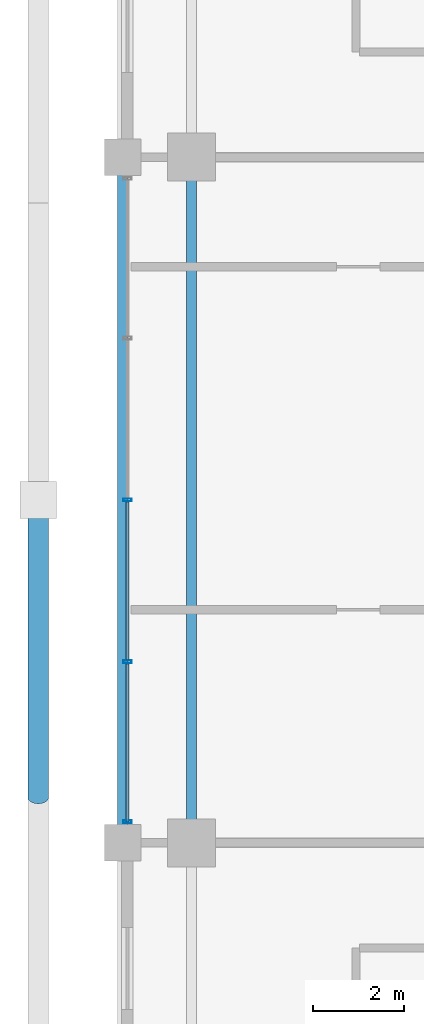
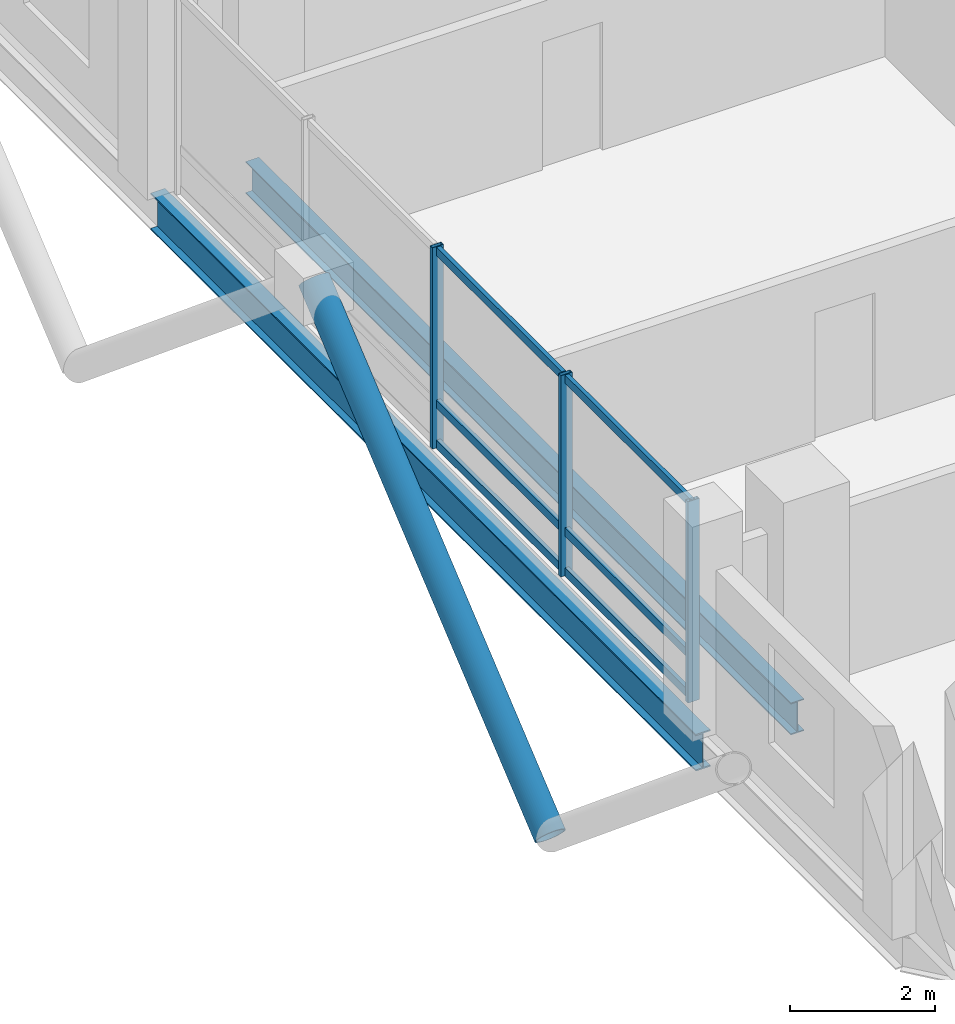
# One storey, part 6 of 24: 10 members, 2 beams, 1 element without a shape of its own.
"""IFC4 building model written with IfcOpenShell, lengths in metres."""

from ifc_helpers import new_model, si_unit, direction, frame, origin, origin_2d, place, context, subcontext, project, spatial, hollow_rectangle, hollow_circle, i_section, extrude, material, layer, layer_set, material_profile, profile_set, type_object, element, aggregate, save


model = new_model("IFC4")

# Units and contexts
model_context = context("Model", 3, precision=1e-05, world=origin(), true_north=direction((0.0, 1.0)))
body_context = subcontext(model_context, "Body", "Model", "MODEL_VIEW")
ifc_project = project(units=[si_unit("LENGTHUNIT", "METRE"), si_unit("AREAUNIT", "SQUARE_METRE"), si_unit("VOLUMEUNIT", "CUBIC_METRE"), si_unit("PLANEANGLEUNIT", "RADIAN"), si_unit("MASSUNIT", "GRAM", prefix="KILO")], contexts=[model_context])

# Site, building, storey
site_placement = place(None, origin())
site = spatial("IfcSite", under=ifc_project, at=site_placement, CompositionType="ELEMENT")
building_placement = place(site_placement, origin())
building = spatial("IfcBuilding", under=site, at=building_placement, Name="Barlavira Tower and Art Museum", CompositionType="ELEMENT")
storey_placement = place(building_placement, frame((0.0, 0.0, 194.39990234375)))
storey = spatial("IfcBuildingStorey", under=building, at=storey_placement, Name="L50", CompositionType="ELEMENT", Elevation=194.39990234375)

# Curtain wall, members
ifc_material_1 = material(Name="Low-iron coastal laminated glass", Category="glass")
ifc_layer = layer(ifc_material_1, 0.199951171875, Name="Low-iron coastal laminated glass")
ifc_layer_set = layer_set([ifc_layer], Name="Low-iron coastal laminated glass")
curtain_wall_type = type_object("IfcCurtainWallType", Name="Pale-Metal Unitised Curtain Wall Zone 3", PredefinedType="NOTDEFINED", material=ifc_layer_set)
curtain_wall_placement = place(storey_placement, origin())
curtain_wall = element("IfcCurtainWall", 1, at=curtain_wall_placement, inside=storey, type_object=curtain_wall_type, Name="L50 Curtain Wall CW3-L50-W-B3", PredefinedType="NOTDEFINED")
ifc_material_2 = material(Name="Pale anodised aluminium", Category="aluminium")
ifc_material_profile_1 = material_profile(ifc_material_2, hollow_rectangle(XDim=0.06494140625, YDim=0.179931640625, WallThickness=0.00390625, at=origin_2d()), Name="ALU-MULL 65x180x4")
ifc_profile_set_1 = profile_set([ifc_material_profile_1], Name="Pale anodised aluminium")
member_type_1 = type_object("IfcMemberType", Name="Curtain Wall Pale-Metal Mullion 65x180", PredefinedType="MULLION", material=ifc_profile_set_1)
member_1_placement = place(storey_placement, frame((-18.39990234375, 0.0, 0.0), z_axis=(0.0, 0.0, 1.0), x_axis=(0.0, -1.0, 0.0)))
member_1 = element("IfcMember", 2, at=member_1_placement, type_object=member_type_1, Name="CW3-L50-W-B3 Mullion 2", PredefinedType="MULLION", context=body_context, shape_type="SweptSolid", body=[
    extrude(hollow_rectangle(XDim=0.06494140625, YDim=0.179931640625, WallThickness=0.00390625, at=origin_2d()), origin(), (0.0, 0.0, 1.0), 3.380126953125),
])
member_2_placement = place(storey_placement, frame((-18.39990234375, -3.5400390625, 0.0), z_axis=(0.0, 0.0, 1.0), x_axis=(0.0, -1.0, 0.0)))
member_2 = element("IfcMember", 3, at=member_2_placement, type_object=member_type_1, Name="CW3-L50-W-B3 Mullion 3", PredefinedType="MULLION", context=body_context, shape_type="SweptSolid", body=[
    extrude(hollow_rectangle(XDim=0.06494140625, YDim=0.179931640625, WallThickness=0.00390625, at=origin_2d()), origin(), (0.0, 0.0, 1.0), 3.380126953125),
])
member_3_placement = place(storey_placement, frame((-18.39990234375, -7.034912109375, 0.0), z_axis=(0.0, 0.0, 1.0), x_axis=(0.0, -1.0, 0.0)))
member_3 = element("IfcMember", 4, at=member_3_placement, type_object=member_type_1, Name="CW3-L50-W-B3 Mullion 4", PredefinedType="MULLION", context=body_context, shape_type="SweptSolid", body=[
    extrude(hollow_rectangle(XDim=0.06494140625, YDim=0.179931640625, WallThickness=0.00390625, at=origin_2d()), origin(), (0.0, 0.0, 1.0), 3.380126953125),
])
ifc_material_profile_2 = material_profile(ifc_material_2, hollow_rectangle(XDim=0.06494140625, YDim=0.139892578125, WallThickness=0.00390625, at=origin_2d()), Name="ALU-TRAN 65x140x4")
ifc_profile_set_2 = profile_set([ifc_material_profile_2], Name="Pale anodised aluminium")
member_type_2 = type_object("IfcMemberType", Name="Curtain Wall Pale-Metal Transom 65x140", PredefinedType="USERDEFINED", material=ifc_profile_set_2)
member_4_placement = place(storey_placement, frame((-18.39990234375, -0.044921875, 0.070068359375), z_axis=(0.0, -1.0, 0.0), x_axis=(1.0, 0.0, 0.0)))
member_4 = element("IfcMember", 5, at=member_4_placement, type_object=member_type_2, Name="CW3-L50-W-B3 Transom 2.1", ObjectType="TRANSOM", PredefinedType="USERDEFINED", context=body_context, shape_type="SweptSolid", body=[
    extrude(hollow_rectangle(XDim=0.06494140625, YDim=0.139892578125, WallThickness=0.00390625, at=origin_2d()), origin(), (0.0, 0.0, 1.0), 3.4501953125),
])
member_5_placement = place(storey_placement, frame((-18.39990234375, -0.044921875, 0.744140625), z_axis=(0.0, -1.0, 0.0), x_axis=(1.0, 0.0, 0.0)))
member_5 = element("IfcMember", 6, at=member_5_placement, type_object=member_type_2, Name="CW3-L50-W-B3 Transom 2.2", ObjectType="TRANSOM", PredefinedType="USERDEFINED", context=body_context, shape_type="SweptSolid", body=[
    extrude(hollow_rectangle(XDim=0.06494140625, YDim=0.139892578125, WallThickness=0.00390625, at=origin_2d()), origin(), (0.0, 0.0, 1.0), 3.4501953125),
])
member_6_placement = place(storey_placement, frame((-18.39990234375, -0.044921875, 3.31005859375), z_axis=(0.0, -1.0, 0.0), x_axis=(1.0, 0.0, 0.0)))
member_6 = element("IfcMember", 7, at=member_6_placement, type_object=member_type_2, Name="CW3-L50-W-B3 Transom 2.3", ObjectType="TRANSOM", PredefinedType="USERDEFINED", context=body_context, shape_type="SweptSolid", body=[
    extrude(hollow_rectangle(XDim=0.06494140625, YDim=0.139892578125, WallThickness=0.00390625, at=origin_2d()), origin(), (0.0, 0.0, 1.0), 3.4501953125),
])
member_7_placement = place(storey_placement, frame((-18.39990234375, -3.5849609375, 0.070068359375), z_axis=(0.0, -1.0, 0.0), x_axis=(1.0, 0.0, 0.0)))
member_7 = element("IfcMember", 8, at=member_7_placement, type_object=member_type_2, Name="CW3-L50-W-B3 Transom 3.1", ObjectType="TRANSOM", PredefinedType="USERDEFINED", context=body_context, shape_type="SweptSolid", body=[
    extrude(hollow_rectangle(XDim=0.06494140625, YDim=0.139892578125, WallThickness=0.00390625, at=origin_2d()), origin(), (0.0, 0.0, 1.0), 3.449951171875),
])
member_8_placement = place(storey_placement, frame((-18.39990234375, -3.5849609375, 0.744140625), z_axis=(0.0, -1.0, 0.0), x_axis=(1.0, 0.0, 0.0)))
member_8 = element("IfcMember", 9, at=member_8_placement, type_object=member_type_2, Name="CW3-L50-W-B3 Transom 3.2", ObjectType="TRANSOM", PredefinedType="USERDEFINED", context=body_context, shape_type="SweptSolid", body=[
    extrude(hollow_rectangle(XDim=0.06494140625, YDim=0.139892578125, WallThickness=0.00390625, at=origin_2d()), origin(), (0.0, 0.0, 1.0), 3.449951171875),
])
member_9_placement = place(storey_placement, frame((-18.39990234375, -3.5849609375, 3.31005859375), z_axis=(0.0, -1.0, 0.0), x_axis=(1.0, 0.0, 0.0)))
member_9 = element("IfcMember", 10, at=member_9_placement, type_object=member_type_2, Name="CW3-L50-W-B3 Transom 3.3", ObjectType="TRANSOM", PredefinedType="USERDEFINED", context=body_context, shape_type="SweptSolid", body=[
    extrude(hollow_rectangle(XDim=0.06494140625, YDim=0.139892578125, WallThickness=0.00390625, at=origin_2d()), origin(), (0.0, 0.0, 1.0), 3.449951171875),
])
aggregate(curtain_wall, [member_1, member_2, member_3, member_4, member_5, member_6, member_7, member_8, member_9])

# Member
ifc_material_3 = material(Name="Steel S355", Category="steel")
ifc_material_profile_3 = material_profile(ifc_material_3, hollow_circle(Radius=0.228515625, WallThickness=0.02001953125, at=origin_2d()), Name="CHS 457.0x20.0")
ifc_profile_set_3 = profile_set([ifc_material_profile_3], Name="Steel S355")
member_type_3 = type_object("IfcMemberType", Name="Pale-Metal Exoskeleton Diagrid Tube CHS 457x20 Steel S355", PredefinedType="BRACE", material=ifc_profile_set_3)
member_10_placement = place(storey_placement, frame((-20.35009765625, -6.5, -1.919921875), z_axis=(0.0, 0.769196053329, 0.639012857104), x_axis=(-1.0, 0.0, 0.0)))
element("IfcMember", 11, at=member_10_placement, inside=storey, type_object=member_type_3, Name="L50 Exoskeleton Diagrid Tube W", PredefinedType="BRACE", context=body_context, shape_type="SweptSolid", body=[
    extrude(hollow_circle(Radius=0.228515625, WallThickness=0.02001953125, at=origin_2d()), origin(), (0.0, 0.0, 1.0), 8.450439453125),
])

# Beams
ifc_material_profile_4 = material_profile(ifc_material_3, i_section(OverallWidth=0.22998046875, OverallDepth=0.616943359375, WebThickness=0.01318359375, FlangeThickness=0.022216796875, at=origin_2d()), Name="W610x140.0")
ifc_profile_set_4 = profile_set([ifc_material_profile_4], Name="Steel S355")
beam_type_1 = type_object("IfcBeamType", Name="Upper Shaft Spandrel Edge Beam W610x140 Steel S355", PredefinedType="SPANDREL", material=ifc_profile_set_4)
beam_1_placement = place(storey_placement, frame((-18.5, -7.5, -0.5283203125), z_axis=(0.0, 1.0, 0.0), x_axis=(-1.0, 0.0, 0.0)))
element("IfcBeam", 12, at=beam_1_placement, inside=storey, type_object=beam_type_1, Name="L50 Spandrel 14", PredefinedType="SPANDREL", context=body_context, shape_type="SweptSolid", body=[
    extrude(i_section(OverallWidth=0.22998046875, OverallDepth=0.616943359375, WebThickness=0.01318359375, FlangeThickness=0.022216796875, at=origin_2d()), origin(), (0.0, 0.0, 1.0), 15.0),
])
ifc_material_profile_5 = material_profile(ifc_material_3, i_section(OverallWidth=0.2109375, OverallDepth=0.5390625, WebThickness=0.01171875, FlangeThickness=0.018798828125, at=origin_2d()), Name="W530x109.0")
ifc_profile_set_5 = profile_set([ifc_material_profile_5], Name="Steel S355")
beam_type_2 = type_object("IfcBeamType", Name="Zone 3-4 Primary Floor Girder W530x109 Steel S355", PredefinedType="BEAM", material=ifc_profile_set_5)
beam_2_placement = place(storey_placement, frame((-17.0, -7.5, -0.489501953125), z_axis=(0.0, 1.0, 0.0), x_axis=(-1.0, 0.0, 0.0)))
element("IfcBeam", 13, at=beam_2_placement, inside=storey, type_object=beam_type_2, Name="L50 Girder M-W2", PredefinedType="BEAM", context=body_context, shape_type="SweptSolid", body=[
    extrude(i_section(OverallWidth=0.2109375, OverallDepth=0.5390625, WebThickness=0.01171875, FlangeThickness=0.018798828125, at=origin_2d()), origin(), (0.0, 0.0, 1.0), 15.0),
])

save(model, "model.ifc")
